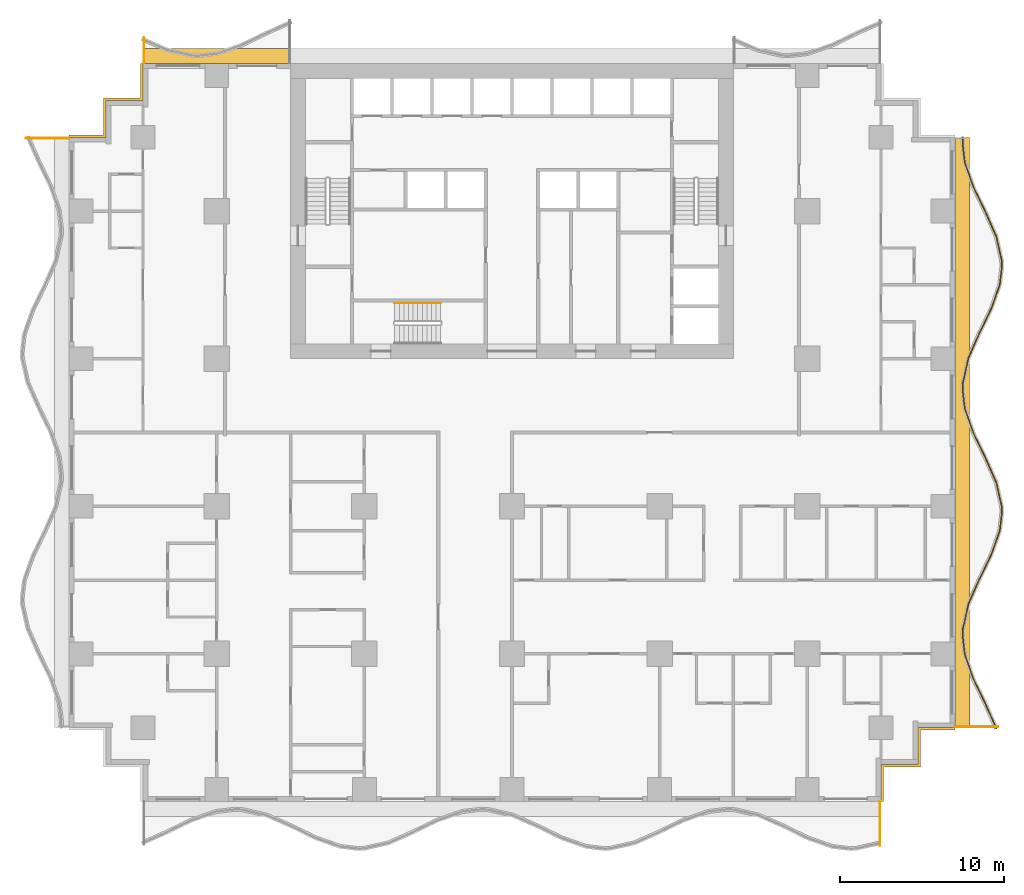
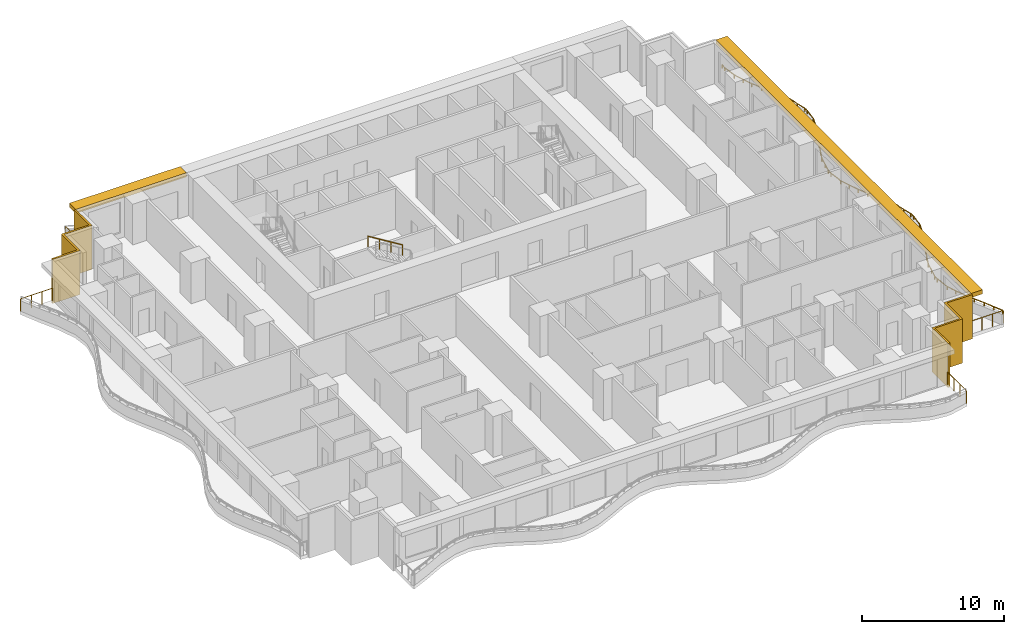
# One storey, part 11 of 14: 6 railings, 4 shading devices.
"""IFC4 building model written with IfcOpenShell, lengths in metres."""

from ifc_helpers import new_model, si_unit, direction, frame, origin, origin_2d, place, context, subcontext, project, spatial, polyline, rectangle, circle, outline, extrude, material, layer, layer_set, type_object, element, save


model = new_model("IFC4")

# Units and contexts
model_context = context("Model", 3, precision=1e-05, world=origin(), true_north=direction((0.0, 1.0)))
body_context = subcontext(model_context, "Body", "Model", "MODEL_VIEW")
ifc_project = project(units=[si_unit("LENGTHUNIT", "METRE"), si_unit("AREAUNIT", "SQUARE_METRE"), si_unit("VOLUMEUNIT", "CUBIC_METRE"), si_unit("PLANEANGLEUNIT", "RADIAN"), si_unit("MASSUNIT", "GRAM", prefix="KILO")], contexts=[model_context])

# Site, building, storey
site_placement = place(None, origin())
site = spatial("IfcSite", under=ifc_project, at=site_placement, CompositionType="ELEMENT")
building_placement = place(site_placement, origin())
building = spatial("IfcBuilding", under=site, at=building_placement, Name="Orbiselva Terraces", CompositionType="ELEMENT")
storey_placement = place(building_placement, frame((0.0, 0.0, 26.4)))
storey = spatial("IfcBuildingStorey", under=building, at=storey_placement, Name="L06", CompositionType="ELEMENT", Elevation=26.4)

# Railings
ifc_material_1 = material(Name="Stainless steel", Category="steel")
railing_type_1 = type_object("IfcRailingType", Name="CORE-HANDRAIL-900", PredefinedType="HANDRAIL", material=ifc_material_1)
railing_1_placement = place(storey_placement, frame((-4.35, 7.9, 2.072727)))
element("IfcRailing", 1, at=railing_1_placement, inside=storey, type_object=railing_type_1, Name="L06 S3 stair handrail 2", PredefinedType="HANDRAIL", context=body_context, shape_type="SweptSolid", body=[
    extrude(circle(Radius=0.024, at=origin_2d()), frame((0.0, 0.0, 0.876), z_axis=(-0.851088519012, 0.0, 0.52502222125), x_axis=(0.0, -1.0, 0.0)), (0.0, 0.0, 1.0), 3.289905),
    extrude(circle(Radius=0.021, at=origin_2d()), origin(), (0.0, 0.0, 1.0), 0.852),
    extrude(circle(Radius=0.021, at=origin_2d()), frame((-0.933333, 0.0, 0.575758)), (0.0, 0.0, 1.0), 0.852),
    extrude(circle(Radius=0.021, at=origin_2d()), frame((-1.866667, 0.0, 1.151515)), (0.0, 0.0, 1.0), 0.852),
    extrude(circle(Radius=0.021, at=origin_2d()), frame((-2.8, 0.0, 1.727273)), (0.0, 0.0, 1.0), 0.852),
])
ifc_material_2 = material(Name="Bonded two-ply safety glass balustrade, stainless steel posts", Category="steel")
railing_type_2 = type_object("IfcRailingType", Name="ENV-BALUSTRADE-1200", PredefinedType="BALUSTRADE", material=ifc_material_2)
railing_2_placement = place(storey_placement, frame((29.534136, -18.050394, 0.9)))
element("IfcRailing", 2, at=railing_2_placement, inside=storey, type_object=railing_type_2, Name="Balcony balustrade L06 E", PredefinedType="BALUSTRADE", context=body_context, shape_type="SweptSolid", body=[
    extrude(outline(polyline([(0.028868, 0.0), (0.014434, 0.025), (-0.014434, 0.025), (-0.028868, 0.0), (-0.014434, -0.025), (0.014434, -0.025), (0.028868, 0.0)])), frame((0.0, 0.0, 0.275), z_axis=(-0.403150940408, 0.915133498047, 0.0), x_axis=(-0.915133498047, -0.403150940408, 0.0)), (0.0, 0.0, 1.0), 1.636648),
    extrude(outline(polyline([(0.028868, 0.0), (0.014434, 0.025), (-0.014434, 0.025), (-0.028868, 0.0), (-0.014434, -0.025), (0.014434, -0.025), (0.028868, 0.0)])), frame((-0.659816, 1.497751, 0.275), z_axis=(-0.438812048596, 0.898578870221, 0.0), x_axis=(-0.898578870221, -0.438812048596, 0.0)), (0.0, 0.0, 1.0), 1.674225),
    extrude(outline(polyline([(0.028868, 0.0), (0.014434, 0.025), (-0.014434, 0.025), (-0.028868, 0.0), (-0.014434, -0.025), (0.014434, -0.025), (0.028868, 0.0)])), frame((-1.394486, 3.002174, 0.275), z_axis=(-0.330024597479, 0.943972332783, 0.0), x_axis=(-0.943972332783, -0.330024597479, 0.0)), (0.0, 0.0, 1.0), 1.610253),
    extrude(outline(polyline([(0.028868, 0.0), (0.014434, 0.025), (-0.014434, 0.025), (-0.028868, 0.0), (-0.014434, -0.025), (0.014434, -0.025), (0.028868, 0.0)])), frame((-1.925909, 4.522208, 0.275), z_axis=(-0.115482182324, 0.993309551734, 0.0), x_axis=(-0.993309551734, -0.115482182324, 0.0)), (0.0, 0.0, 1.0), 1.156135),
    extrude(outline(polyline([(0.028868, 0.0), (0.014434, 0.025), (-0.014434, 0.025), (-0.028868, 0.0), (-0.014434, -0.025), (0.014434, -0.025), (0.028868, 0.0)])), frame((-2.059422, 5.670608, 0.275), z_axis=(0.03936915532, 0.999224734286, 0.0), x_axis=(-0.999224734286, 0.03936915532, 0.0)), (0.0, 0.0, 1.0), 0.396376),
    extrude(outline(polyline([(0.028868, 0.0), (0.014434, 0.025), (-0.014434, 0.025), (-0.028868, 0.0), (-0.014434, -0.025), (0.014434, -0.025), (0.028868, 0.0)])), frame((-2.043817, 6.066677, 0.275), z_axis=(0.219015500924, 0.97572137947, 0.0), x_axis=(-0.97572137947, 0.219015500924, 0.0)), (0.0, 0.0, 1.0), 1.560867),
    extrude(outline(polyline([(0.028868, 0.0), (0.014434, 0.025), (-0.014434, 0.025), (-0.028868, 0.0), (-0.014434, -0.025), (0.014434, -0.025), (0.028868, 0.0)])), frame((-1.701963, 7.589648, 0.275), z_axis=(0.403150874148, 0.915133527237, 0.0), x_axis=(-0.915133527237, 0.403150874148, 0.0)), (0.0, 0.0, 1.0), 1.653736),
    extrude(outline(polyline([(0.028868, 0.0), (0.014434, 0.025), (-0.014434, 0.025), (-0.028868, 0.0), (-0.014434, -0.025), (0.014434, -0.025), (0.028868, 0.0)])), frame((-1.035258, 9.103037, 0.275), z_axis=(0.438811978768, 0.89857890432, 0.0), x_axis=(-0.89857890432, 0.438811978768, 0.0)), (0.0, 0.0, 1.0), 1.66438),
    extrude(outline(polyline([(0.028868, 0.0), (0.014434, 0.025), (-0.014434, 0.025), (-0.028868, 0.0), (-0.014434, -0.025), (0.014434, -0.025), (0.028868, 0.0)])), frame((-0.304908, 10.598614, 0.275), z_axis=(0.330024754707, 0.943972277814, 0.0), x_axis=(-0.943972277814, 0.330024754707, 0.0)), (0.0, 0.0, 1.0), 1.567807),
    extrude(outline(polyline([(0.028868, 0.0), (0.014434, 0.025), (-0.014434, 0.025), (-0.028868, 0.0), (-0.014434, -0.025), (0.014434, -0.025), (0.028868, 0.0)])), frame((0.212507, 12.07858, 0.275), z_axis=(0.115481264762, 0.993309658409, 0.0), x_axis=(-0.993309658409, 0.115481264762, 0.0)), (0.0, 0.0, 1.0), 1.10902),
    extrude(outline(polyline([(0.028868, 0.0), (0.014434, 0.025), (-0.014434, 0.025), (-0.028868, 0.0), (-0.014434, -0.025), (0.014434, -0.025), (0.028868, 0.0)])), frame((0.340578, 13.18018, 0.275), z_axis=(-0.039364150694, 0.999224931454, 0.0), x_axis=(-0.999224931454, -0.039364150694, 0.0)), (0.0, 0.0, 1.0), 0.354206),
    extrude(outline(polyline([(0.028868, 0.0), (0.014434, 0.025), (-0.014434, 0.025), (-0.028868, 0.0), (-0.014434, -0.025), (0.014434, -0.025), (0.028868, 0.0)])), frame((0.326635, 13.534111, 0.275), z_axis=(-0.219015740235, 0.975721325753, 0.0), x_axis=(-0.975721325753, -0.219015740235, 0.0)), (0.0, 0.0, 1.0), 1.513782),
    extrude(outline(polyline([(0.028868, 0.0), (0.014434, 0.025), (-0.014434, 0.025), (-0.028868, 0.0), (-0.014434, -0.025), (0.014434, -0.025), (0.028868, 0.0)])), frame((-0.004907, 15.01114, 0.275), z_axis=(-0.403151245402, 0.915133363686, 0.0), x_axis=(-0.915133363686, -0.403151245402, 0.0)), (0.0, 0.0, 1.0), 1.624475),
    extrude(outline(polyline([(0.028868, 0.0), (0.014434, 0.025), (-0.014434, 0.025), (-0.028868, 0.0), (-0.014434, -0.025), (0.014434, -0.025), (0.028868, 0.0)])), frame((-0.659816, 16.497751, 0.275), z_axis=(-0.438812048596, 0.898578870221, 0.0), x_axis=(-0.898578870221, -0.438812048596, 0.0)), (0.0, 0.0, 1.0), 1.674225),
    extrude(outline(polyline([(0.028868, 0.0), (0.014434, 0.025), (-0.014434, 0.025), (-0.028868, 0.0), (-0.014434, -0.025), (0.014434, -0.025), (0.028868, 0.0)])), frame((-1.394486, 18.002174, 0.275), z_axis=(-0.330024597479, 0.943972332783, 0.0), x_axis=(-0.943972332783, -0.330024597479, 0.0)), (0.0, 0.0, 1.0), 1.610253),
    extrude(outline(polyline([(0.028868, 0.0), (0.014434, 0.025), (-0.014434, 0.025), (-0.028868, 0.0), (-0.014434, -0.025), (0.014434, -0.025), (0.028868, 0.0)])), frame((-1.925909, 19.522208, 0.275), z_axis=(-0.115482182324, 0.993309551734, 0.0), x_axis=(-0.993309551734, -0.115482182324, 0.0)), (0.0, 0.0, 1.0), 1.156135),
    extrude(outline(polyline([(0.028868, 0.0), (0.014434, 0.025), (-0.014434, 0.025), (-0.028868, 0.0), (-0.014434, -0.025), (0.014434, -0.025), (0.028868, 0.0)])), frame((-2.059422, 20.670608, 0.275), z_axis=(0.03936915532, 0.999224734286, 0.0), x_axis=(-0.999224734286, 0.03936915532, 0.0)), (0.0, 0.0, 1.0), 0.396376),
    extrude(outline(polyline([(0.028868, 0.0), (0.014434, 0.025), (-0.014434, 0.025), (-0.028868, 0.0), (-0.014434, -0.025), (0.014434, -0.025), (0.028868, 0.0)])), frame((-2.043817, 21.066677, 0.275), z_axis=(0.219015500924, 0.97572137947, 0.0), x_axis=(-0.97572137947, 0.219015500924, 0.0)), (0.0, 0.0, 1.0), 1.560867),
    extrude(outline(polyline([(0.028868, 0.0), (0.014434, 0.025), (-0.014434, 0.025), (-0.028868, 0.0), (-0.014434, -0.025), (0.014434, -0.025), (0.028868, 0.0)])), frame((-1.701963, 22.589648, 0.275), z_axis=(0.403150874148, 0.915133527237, 0.0), x_axis=(-0.915133527237, 0.403150874148, 0.0)), (0.0, 0.0, 1.0), 1.653736),
    extrude(outline(polyline([(0.028868, 0.0), (0.014434, 0.025), (-0.014434, 0.025), (-0.028868, 0.0), (-0.014434, -0.025), (0.014434, -0.025), (0.028868, 0.0)])), frame((-1.035258, 24.103037, 0.275), z_axis=(0.438811978768, 0.89857890432, 0.0), x_axis=(-0.89857890432, 0.438811978768, 0.0)), (0.0, 0.0, 1.0), 1.66438),
    extrude(outline(polyline([(0.028868, 0.0), (0.014434, 0.025), (-0.014434, 0.025), (-0.028868, 0.0), (-0.014434, -0.025), (0.014434, -0.025), (0.028868, 0.0)])), frame((-0.304908, 25.598614, 0.275), z_axis=(0.330024754707, 0.943972277814, 0.0), x_axis=(-0.943972277814, 0.330024754707, 0.0)), (0.0, 0.0, 1.0), 1.567807),
    extrude(outline(polyline([(0.028868, 0.0), (0.014434, 0.025), (-0.014434, 0.025), (-0.028868, 0.0), (-0.014434, -0.025), (0.014434, -0.025), (0.028868, 0.0)])), frame((0.212507, 27.07858, 0.275), z_axis=(0.115481264762, 0.993309658409, 0.0), x_axis=(-0.993309658409, 0.115481264762, 0.0)), (0.0, 0.0, 1.0), 1.10902),
    extrude(outline(polyline([(0.028868, 0.0), (0.014434, 0.025), (-0.014434, 0.025), (-0.028868, 0.0), (-0.014434, -0.025), (0.014434, -0.025), (0.028868, 0.0)])), frame((0.340578, 28.18018, 0.275), z_axis=(-0.039364150694, 0.999224931454, 0.0), x_axis=(-0.999224931454, -0.039364150694, 0.0)), (0.0, 0.0, 1.0), 0.354206),
    extrude(outline(polyline([(0.028868, 0.0), (0.014434, 0.025), (-0.014434, 0.025), (-0.028868, 0.0), (-0.014434, -0.025), (0.014434, -0.025), (0.028868, 0.0)])), frame((0.326635, 28.534111, 0.275), z_axis=(-0.219015740235, 0.975721325753, 0.0), x_axis=(-0.975721325753, -0.219015740235, 0.0)), (0.0, 0.0, 1.0), 1.513782),
    extrude(outline(polyline([(0.028868, 0.0), (0.014434, 0.025), (-0.014434, 0.025), (-0.028868, 0.0), (-0.014434, -0.025), (0.014434, -0.025), (0.028868, 0.0)])), frame((-0.004907, 30.01114, 0.275), z_axis=(-0.403151245402, 0.915133363686, 0.0), x_axis=(-0.915133363686, -0.403151245402, 0.0)), (0.0, 0.0, 1.0), 1.624475),
    extrude(outline(polyline([(0.028868, 0.0), (0.014434, 0.025), (-0.014434, 0.025), (-0.028868, 0.0), (-0.014434, -0.025), (0.014434, -0.025), (0.028868, 0.0)])), frame((-0.659816, 31.497751, 0.275), z_axis=(-0.438812048596, 0.898578870221, 0.0), x_axis=(-0.898578870221, -0.438812048596, 0.0)), (0.0, 0.0, 1.0), 1.674225),
    extrude(outline(polyline([(0.028868, 0.0), (0.014434, 0.025), (-0.014434, 0.025), (-0.028868, 0.0), (-0.014434, -0.025), (0.014434, -0.025), (0.028868, 0.0)])), frame((-1.394486, 33.002174, 0.275), z_axis=(-0.330024597479, 0.943972332783, 0.0), x_axis=(-0.943972332783, -0.330024597479, 0.0)), (0.0, 0.0, 1.0), 1.610253),
    extrude(outline(polyline([(0.028868, 0.0), (0.014434, 0.025), (-0.014434, 0.025), (-0.028868, 0.0), (-0.014434, -0.025), (0.014434, -0.025), (0.028868, 0.0)])), frame((-1.925909, 34.522208, 0.275), z_axis=(-0.115482182324, 0.993309551734, 0.0), x_axis=(-0.993309551734, -0.115482182324, 0.0)), (0.0, 0.0, 1.0), 1.156135),
    extrude(outline(polyline([(0.028868, 0.0), (0.014434, 0.025), (-0.014434, 0.025), (-0.028868, 0.0), (-0.014434, -0.025), (0.014434, -0.025), (0.028868, 0.0)])), frame((-2.059422, 35.670608, 0.275), z_axis=(0.039368272023, 0.999224769087, 0.0), x_axis=(-0.999224769087, 0.039368272023, 0.0)), (0.0, 0.0, 1.0), 0.385005),
    extrude(rectangle(XDim=0.05, YDim=0.05, at=origin_2d()), origin(), (0.0, 0.0, 1.0), 0.25),
    extrude(rectangle(XDim=0.05, YDim=0.05, at=origin_2d()), frame((-0.329908, 0.748876, 0.0)), (0.0, 0.0, 1.0), 0.25),
    extrude(rectangle(XDim=0.05, YDim=0.05, at=origin_2d()), frame((-0.659816, 1.497751, 0.0)), (0.0, 0.0, 1.0), 0.25),
    extrude(rectangle(XDim=0.05, YDim=0.05, at=origin_2d()), frame((-1.027151, 2.249963, 0.0)), (0.0, 0.0, 1.0), 0.25),
    extrude(rectangle(XDim=0.05, YDim=0.05, at=origin_2d()), frame((-1.394486, 3.002174, 0.0)), (0.0, 0.0, 1.0), 0.25),
    extrude(rectangle(XDim=0.05, YDim=0.05, at=origin_2d()), frame((-1.660198, 3.762191, 0.0)), (0.0, 0.0, 1.0), 0.25),
    extrude(rectangle(XDim=0.05, YDim=0.05, at=origin_2d()), frame((-1.925909, 4.522208, 0.0)), (0.0, 0.0, 1.0), 0.25),
    extrude(rectangle(XDim=0.05, YDim=0.05, at=origin_2d()), frame((-2.059422, 5.670608, 0.0)), (0.0, 0.0, 1.0), 0.25),
    extrude(rectangle(XDim=0.05, YDim=0.05, at=origin_2d()), frame((-2.043817, 6.066677, 0.0)), (0.0, 0.0, 1.0), 0.25),
    extrude(rectangle(XDim=0.05, YDim=0.05, at=origin_2d()), frame((-1.87289, 6.828162, 0.0)), (0.0, 0.0, 1.0), 0.25),
    extrude(rectangle(XDim=0.05, YDim=0.05, at=origin_2d()), frame((-1.701963, 7.589648, 0.0)), (0.0, 0.0, 1.0), 0.25),
    extrude(rectangle(XDim=0.05, YDim=0.05, at=origin_2d()), frame((-1.36861, 8.346342, 0.0)), (0.0, 0.0, 1.0), 0.25),
    extrude(rectangle(XDim=0.05, YDim=0.05, at=origin_2d()), frame((-1.035258, 9.103037, 0.0)), (0.0, 0.0, 1.0), 0.25),
    extrude(rectangle(XDim=0.05, YDim=0.05, at=origin_2d()), frame((-0.670083, 9.850826, 0.0)), (0.0, 0.0, 1.0), 0.25),
    extrude(rectangle(XDim=0.05, YDim=0.05, at=origin_2d()), frame((-0.304908, 10.598614, 0.0)), (0.0, 0.0, 1.0), 0.25),
    extrude(rectangle(XDim=0.05, YDim=0.05, at=origin_2d()), frame((-0.046201, 11.338597, 0.0)), (0.0, 0.0, 1.0), 0.25),
    extrude(rectangle(XDim=0.05, YDim=0.05, at=origin_2d()), frame((0.212507, 12.07858, 0.0)), (0.0, 0.0, 1.0), 0.25),
    extrude(rectangle(XDim=0.05, YDim=0.05, at=origin_2d()), frame((0.340578, 13.18018, 0.0)), (0.0, 0.0, 1.0), 0.25),
    extrude(rectangle(XDim=0.05, YDim=0.05, at=origin_2d()), frame((0.326635, 13.534111, 0.0)), (0.0, 0.0, 1.0), 0.25),
    extrude(rectangle(XDim=0.05, YDim=0.05, at=origin_2d()), frame((0.160864, 14.272626, 0.0)), (0.0, 0.0, 1.0), 0.25),
    extrude(rectangle(XDim=0.05, YDim=0.05, at=origin_2d()), frame((-0.004907, 15.01114, 0.0)), (0.0, 0.0, 1.0), 0.25),
    extrude(rectangle(XDim=0.05, YDim=0.05, at=origin_2d()), frame((-0.332361, 15.754446, 0.0)), (0.0, 0.0, 1.0), 0.25),
    extrude(rectangle(XDim=0.05, YDim=0.05, at=origin_2d()), frame((-0.659816, 16.497751, 0.0)), (0.0, 0.0, 1.0), 0.25),
    extrude(rectangle(XDim=0.05, YDim=0.05, at=origin_2d()), frame((-1.027151, 17.249963, 0.0)), (0.0, 0.0, 1.0), 0.25),
    extrude(rectangle(XDim=0.05, YDim=0.05, at=origin_2d()), frame((-1.394486, 18.002174, 0.0)), (0.0, 0.0, 1.0), 0.25),
    extrude(rectangle(XDim=0.05, YDim=0.05, at=origin_2d()), frame((-1.660198, 18.762191, 0.0)), (0.0, 0.0, 1.0), 0.25),
    extrude(rectangle(XDim=0.05, YDim=0.05, at=origin_2d()), frame((-1.925909, 19.522208, 0.0)), (0.0, 0.0, 1.0), 0.25),
    extrude(rectangle(XDim=0.05, YDim=0.05, at=origin_2d()), frame((-2.059422, 20.670608, 0.0)), (0.0, 0.0, 1.0), 0.25),
    extrude(rectangle(XDim=0.05, YDim=0.05, at=origin_2d()), frame((-2.043817, 21.066677, 0.0)), (0.0, 0.0, 1.0), 0.25),
    extrude(rectangle(XDim=0.05, YDim=0.05, at=origin_2d()), frame((-1.87289, 21.828162, 0.0)), (0.0, 0.0, 1.0), 0.25),
    extrude(rectangle(XDim=0.05, YDim=0.05, at=origin_2d()), frame((-1.701963, 22.589648, 0.0)), (0.0, 0.0, 1.0), 0.25),
    extrude(rectangle(XDim=0.05, YDim=0.05, at=origin_2d()), frame((-1.36861, 23.346342, 0.0)), (0.0, 0.0, 1.0), 0.25),
    extrude(rectangle(XDim=0.05, YDim=0.05, at=origin_2d()), frame((-1.035258, 24.103037, 0.0)), (0.0, 0.0, 1.0), 0.25),
    extrude(rectangle(XDim=0.05, YDim=0.05, at=origin_2d()), frame((-0.670083, 24.850826, 0.0)), (0.0, 0.0, 1.0), 0.25),
    extrude(rectangle(XDim=0.05, YDim=0.05, at=origin_2d()), frame((-0.304908, 25.598614, 0.0)), (0.0, 0.0, 1.0), 0.25),
    extrude(rectangle(XDim=0.05, YDim=0.05, at=origin_2d()), frame((-0.046201, 26.338597, 0.0)), (0.0, 0.0, 1.0), 0.25),
    extrude(rectangle(XDim=0.05, YDim=0.05, at=origin_2d()), frame((0.212507, 27.07858, 0.0)), (0.0, 0.0, 1.0), 0.25),
    extrude(rectangle(XDim=0.05, YDim=0.05, at=origin_2d()), frame((0.340578, 28.18018, 0.0)), (0.0, 0.0, 1.0), 0.25),
    extrude(rectangle(XDim=0.05, YDim=0.05, at=origin_2d()), frame((0.326635, 28.534111, 0.0)), (0.0, 0.0, 1.0), 0.25),
    extrude(rectangle(XDim=0.05, YDim=0.05, at=origin_2d()), frame((0.160864, 29.272626, 0.0)), (0.0, 0.0, 1.0), 0.25),
    extrude(rectangle(XDim=0.05, YDim=0.05, at=origin_2d()), frame((-0.004907, 30.01114, 0.0)), (0.0, 0.0, 1.0), 0.25),
    extrude(rectangle(XDim=0.05, YDim=0.05, at=origin_2d()), frame((-0.332361, 30.754446, 0.0)), (0.0, 0.0, 1.0), 0.25),
    extrude(rectangle(XDim=0.05, YDim=0.05, at=origin_2d()), frame((-0.659816, 31.497751, 0.0)), (0.0, 0.0, 1.0), 0.25),
    extrude(rectangle(XDim=0.05, YDim=0.05, at=origin_2d()), frame((-1.027151, 32.249962, 0.0)), (0.0, 0.0, 1.0), 0.25),
    extrude(rectangle(XDim=0.05, YDim=0.05, at=origin_2d()), frame((-1.394486, 33.002174, 0.0)), (0.0, 0.0, 1.0), 0.25),
    extrude(rectangle(XDim=0.05, YDim=0.05, at=origin_2d()), frame((-1.660198, 33.762191, 0.0)), (0.0, 0.0, 1.0), 0.25),
    extrude(rectangle(XDim=0.05, YDim=0.05, at=origin_2d()), frame((-1.925909, 34.522208, 0.0)), (0.0, 0.0, 1.0), 0.25),
    extrude(rectangle(XDim=0.05, YDim=0.05, at=origin_2d()), frame((-2.059422, 35.670608, 0.0)), (0.0, 0.0, 1.0), 0.25),
    extrude(rectangle(XDim=0.05, YDim=0.05, at=origin_2d()), frame((-2.044265, 36.055315, 0.0)), (0.0, 0.0, 1.0), 0.25),
])
ifc_material_3 = material(Name="Stainless steel rail and posts", Category="steel")
railing_type_3 = type_object("IfcRailingType", Name="ENV-GUARD-1105", PredefinedType="BALUSTRADE", material=ifc_material_3)
railing_3_placement = place(storey_placement, frame((22.44, -25.169584, 0.0)))
element("IfcRailing", 3, at=railing_3_placement, inside=storey, type_object=railing_type_3, Name="Balcony end guard L06 S", PredefinedType="BALUSTRADE", context=body_context, shape_type="SweptSolid", body=[
    extrude(outline(polyline([(0.028868, 0.0), (0.014434, 0.025), (-0.014434, 0.025), (-0.028868, 0.0), (-0.014434, -0.025), (0.014434, -0.025), (0.028868, 0.0)])), frame((0.0, 0.0, 1.08), z_axis=(0.0, 1.0, 0.0), x_axis=(-1.0, 0.0, 0.0)), (0.0, 0.0, 1.0), 2.644584),
    extrude(rectangle(XDim=0.05, YDim=0.05, at=origin_2d()), origin(), (0.0, 0.0, 1.0), 1.055),
    extrude(rectangle(XDim=0.05, YDim=0.05, at=origin_2d()), frame((0.0, 0.881528, 0.0)), (0.0, 0.0, 1.0), 1.055),
    extrude(rectangle(XDim=0.05, YDim=0.05, at=origin_2d()), frame((0.0, 1.763056, 0.0)), (0.0, 0.0, 1.0), 1.055),
    extrude(rectangle(XDim=0.05, YDim=0.05, at=origin_2d()), frame((0.0, 2.644584, 0.0)), (0.0, 0.0, 1.0), 1.055),
])
railing_4_placement = place(storey_placement, frame((29.626937, -17.94, 0.0)))
element("IfcRailing", 4, at=railing_4_placement, inside=storey, type_object=railing_type_3, Name="Balcony end guard L06 E", PredefinedType="BALUSTRADE", context=body_context, shape_type="SweptSolid", body=[
    extrude(outline(polyline([(0.028868, 0.0), (0.014434, 0.025), (-0.014434, 0.025), (-0.028868, 0.0), (-0.014434, -0.025), (0.014434, -0.025), (0.028868, 0.0)])), frame((0.0, 0.0, 1.08), z_axis=(-1.0, 0.0, 0.0), x_axis=(0.0, -1.0, 0.0)), (0.0, 0.0, 1.0), 2.601937),
    extrude(rectangle(XDim=0.05, YDim=0.05, at=origin_2d()), origin(), (0.0, 0.0, 1.0), 1.055),
    extrude(rectangle(XDim=0.05, YDim=0.05, at=origin_2d()), frame((-0.867312, 0.0, 0.0)), (0.0, 0.0, 1.0), 1.055),
    extrude(rectangle(XDim=0.05, YDim=0.05, at=origin_2d()), frame((-1.734625, 0.0, 0.0)), (0.0, 0.0, 1.0), 1.055),
    extrude(rectangle(XDim=0.05, YDim=0.05, at=origin_2d()), frame((-2.601937, 0.0, 0.0)), (0.0, 0.0, 1.0), 1.055),
])
railing_5_placement = place(storey_placement, frame((-22.44, 24.082553, 0.0)))
element("IfcRailing", 5, at=railing_5_placement, inside=storey, type_object=railing_type_3, Name="Balcony end guard L06 NW", PredefinedType="BALUSTRADE", context=body_context, shape_type="SweptSolid", body=[
    extrude(outline(polyline([(0.028868, 0.0), (0.014434, 0.025), (-0.014434, 0.025), (-0.028868, 0.0), (-0.014434, -0.025), (0.014434, -0.025), (0.028868, 0.0)])), frame((0.0, 0.0, 1.08), z_axis=(0.0, -1.0, 0.0), x_axis=(1.0, 0.0, 0.0)), (0.0, 0.0, 1.0), 1.557553),
    extrude(rectangle(XDim=0.05, YDim=0.05, at=origin_2d()), origin(), (0.0, 0.0, 1.0), 1.055),
    extrude(rectangle(XDim=0.05, YDim=0.05, at=origin_2d()), frame((0.0, -0.778777, 0.0)), (0.0, 0.0, 1.0), 1.055),
    extrude(rectangle(XDim=0.05, YDim=0.05, at=origin_2d()), frame((0.0, -1.557553, 0.0)), (0.0, 0.0, 1.0), 1.055),
])
railing_6_placement = place(storey_placement, frame((-29.626937, 17.94, 0.0)))
element("IfcRailing", 6, at=railing_6_placement, inside=storey, type_object=railing_type_3, Name="Balcony end guard L06 W", PredefinedType="BALUSTRADE", context=body_context, shape_type="SweptSolid", body=[
    extrude(outline(polyline([(0.028868, 0.0), (0.014434, 0.025), (-0.014434, 0.025), (-0.028868, 0.0), (-0.014434, -0.025), (0.014434, -0.025), (0.028868, 0.0)])), frame((0.0, 0.0, 1.08), z_axis=(1.0, 0.0, 0.0), x_axis=(0.0, 1.0, 0.0)), (0.0, 0.0, 1.0), 2.601937),
    extrude(rectangle(XDim=0.05, YDim=0.05, at=origin_2d()), origin(), (0.0, 0.0, 1.0), 1.055),
    extrude(rectangle(XDim=0.05, YDim=0.05, at=origin_2d()), frame((0.867312, 0.0, 0.0)), (0.0, 0.0, 1.0), 1.055),
    extrude(rectangle(XDim=0.05, YDim=0.05, at=origin_2d()), frame((1.734625, 0.0, 0.0)), (0.0, 0.0, 1.0), 1.055),
    extrude(rectangle(XDim=0.05, YDim=0.05, at=origin_2d()), frame((2.601937, 0.0, 0.0)), (0.0, 0.0, 1.0), 1.055),
])

# Shading devices
ifc_material_4 = material(Name="Terracotta louvre screen", Category="masonry")
ifc_layer_1 = layer(ifc_material_4, 0.15)
ifc_layer_set_1 = layer_set([ifc_layer_1], Name="Terracotta louvre screen")
shading_device_type_1 = type_object("IfcShadingDeviceType", Name="ENV-SCREEN-150", PredefinedType="USERDEFINED", material=ifc_layer_set_1)
shading_device_1_placement = place(storey_placement, frame((0.0, 0.0, -0.3)))
element("IfcShadingDevice", 7, at=shading_device_1_placement, inside=storey, type_object=shading_device_type_1, Name="Louvre screen L06 NW", ObjectType="SCREEN", PredefinedType="USERDEFINED", context=body_context, shape_type="SweptSolid", body=[
    extrude(outline(polyline([(-22.65, 22.5), (-22.65, 20.4), (-24.9, 20.4), (-24.9, 18.15), (-27.0, 18.15), (-27.0, 18.0), (-24.75, 18.0), (-24.75, 20.25), (-22.5, 20.25), (-22.5, 22.5), (-22.65, 22.5)])), origin(), (0.0, 0.0, 1.0), 3.8),
])
shading_device_2_placement = place(storey_placement, frame((0.0, 0.0, -0.3)))
element("IfcShadingDevice", 8, at=shading_device_2_placement, inside=storey, type_object=shading_device_type_1, Name="Louvre screen L06 SE", ObjectType="SCREEN", PredefinedType="USERDEFINED", context=body_context, shape_type="SweptSolid", body=[
    extrude(outline(polyline([(22.65, -22.5), (22.65, -20.4), (24.9, -20.4), (24.9, -18.15), (27.0, -18.15), (27.0, -18.0), (24.75, -18.0), (24.75, -20.25), (22.5, -20.25), (22.5, -22.5), (22.65, -22.5)])), origin(), (0.0, 0.0, 1.0), 3.8),
])
ifc_material_5 = material(Name="Terracotta baguette sunshade", Category="masonry")
ifc_layer_2 = layer(ifc_material_5, 0.35)
ifc_layer_set_2 = layer_set([ifc_layer_2], Name="Terracotta baguette sunshade")
shading_device_type_2 = type_object("IfcShadingDeviceType", Name="ENV-SUNSHADE-900x350", PredefinedType="USERDEFINED", material=ifc_layer_set_2)
shading_device_3_placement = place(storey_placement, frame((0.0, 0.0, 3.15)))
element("IfcShadingDevice", 9, at=shading_device_3_placement, inside=storey, type_object=shading_device_type_2, Name="Sunshade band L06 E", ObjectType="SUNSHADE", PredefinedType="USERDEFINED", context=body_context, shape_type="SweptSolid", body=[
    extrude(outline(polyline([(27.9, -18.0), (27.9, 18.0), (27.0, 18.0), (27.0, -18.0), (27.9, -18.0)])), origin(), (0.0, 0.0, 1.0), 0.35),
])
shading_device_4_placement = place(storey_placement, frame((0.0, 0.0, 3.15)))
element("IfcShadingDevice", 10, at=shading_device_4_placement, inside=storey, type_object=shading_device_type_2, Name="Sunshade band L06 NW", ObjectType="SUNSHADE", PredefinedType="USERDEFINED", context=body_context, shape_type="SweptSolid", body=[
    extrude(outline(polyline([(-13.5, 23.4), (-22.5, 23.4), (-22.5, 22.5), (-13.5, 22.5), (-13.5, 23.4)])), origin(), (0.0, 0.0, 1.0), 0.35),
])

save(model, "model.ifc")
